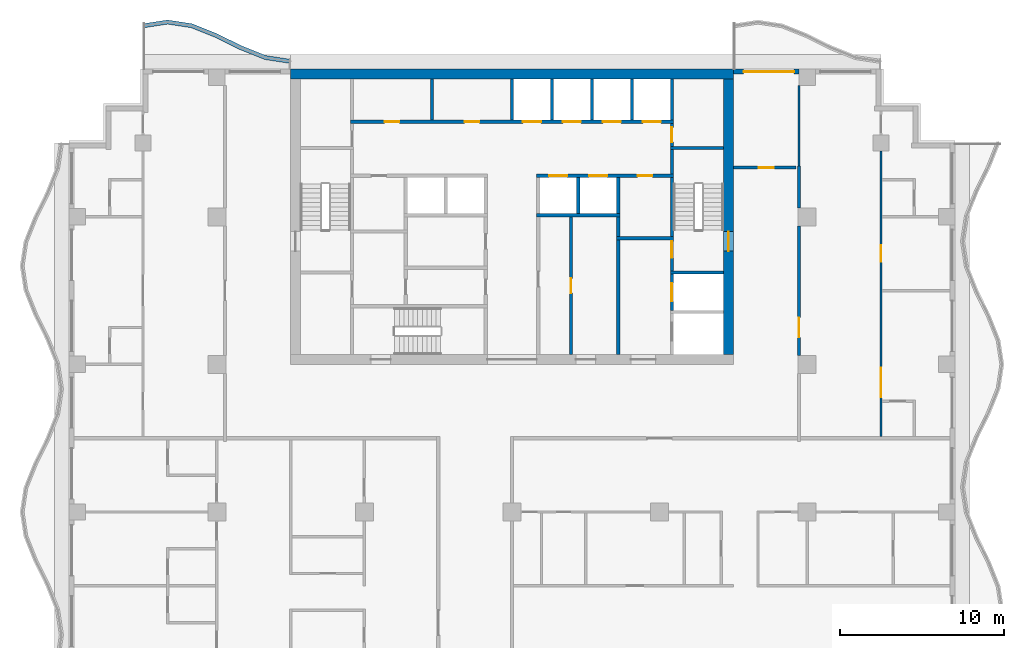
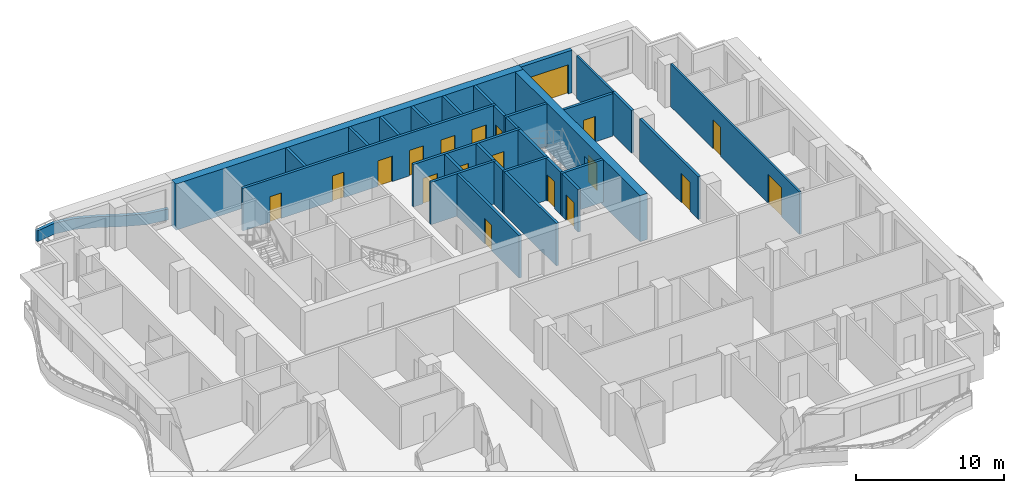
# One storey, part 6 of 12: 31 walls, 19 doors, 19 openings.
"""IFC4 building model written with IfcOpenShell, lengths in metres."""

import ifcopenshell
import ifcopenshell.guid

model = None  # the IFC model being written
_history = None  # IfcOwnerHistory: only IFC2X3 demands one
_inside = {}  # id of a spatial element -> (the spatial element, [elements in it])
_under = {}  # id of a project, library or spatial element -> (it, [spatial elements below it])
_declared = {}  # id of a project -> (the project, [libraries it declares])
_typed = {}  # id of a type object -> (the type object, [elements of that type])
_made_of = {}  # id of a material, layer set ... -> (it, [elements and type objects made of it])


def new_model(schema):
    """Start an empty IFC model of exactly this schema.

    Asked for "IFC4X3", IfcOpenShell would pick the latest addendum, in which some entities
    have other attributes; the version numbers below select the first issue.
    IFC2X3 requires an IfcOwnerHistory on every rooted entity: one is made here for all.
    """
    global model, _history
    if schema == "IFC4X3":
        model = ifcopenshell.file(schema_version=(4, 3, 0, 0))
    else:
        model = ifcopenshell.file(schema=schema)
    _inside.clear()
    _under.clear()
    _declared.clear()
    _typed.clear()
    _made_of.clear()
    _history = None
    if model.schema == "IFC2X3":
        org = make("IfcOrganization", Name="unknown")
        user = make(
            "IfcPersonAndOrganization",
            ThePerson=make("IfcPerson", FamilyName="unknown"),
            TheOrganization=org,
        )
        app = make(
            "IfcApplication",
            ApplicationDeveloper=org,
            Version="unknown",
            ApplicationFullName="unknown",
            ApplicationIdentifier="unknown",
        )
        _history = make(
            "IfcOwnerHistory",
            OwningUser=user,
            OwningApplication=app,
            ChangeAction="ADDED",
            CreationDate=0,
        )
    return model


def make(cls, **values):
    """One entity of the class cls with the attributes given. An attribute that is None is left unset."""
    return model.create_entity(
        cls, **{name: value for name, value in values.items() if value is not None}
    )


def rooted(cls, **values):
    """An entity with a GlobalId (a new one), such as an element, a storey or a relation."""
    return make(cls, GlobalId=ifcopenshell.guid.new(), OwnerHistory=_history, **values)


def si_unit(unit_type, name, prefix=None):
    """IfcSIUnit, for example si_unit("LENGTHUNIT", "METRE", prefix="MILLI")."""
    return make("IfcSIUnit", UnitType=unit_type, Prefix=prefix, Name=name)


def assignment(units):
    """IfcUnitAssignment: the units of a project."""
    return None if units is None else make("IfcUnitAssignment", Units=units)


def point(xyz):
    """IfcCartesianPoint."""
    return None if xyz is None else make("IfcCartesianPoint", Coordinates=xyz)


def direction(xyz):
    """IfcDirection."""
    return None if xyz is None else make("IfcDirection", DirectionRatios=xyz)


def frame(location, z_axis=None, x_axis=None):
    """IfcAxis2Placement3D, a coordinate frame: its origin and axes. An axis left out is left unset."""
    return make(
        "IfcAxis2Placement3D",
        Location=point(location),
        Axis=direction(z_axis),
        RefDirection=direction(x_axis),
    )


def frame_2d(location, x_axis=None):
    """IfcAxis2Placement2D, a coordinate frame in the plane: its origin and x axis."""
    return make(
        "IfcAxis2Placement2D", Location=point(location), RefDirection=direction(x_axis)
    )


def origin():
    """The frame at (0, 0, 0) with its axes left unset."""
    return frame((0.0, 0.0, 0.0))


def place(relative_to, where):
    """IfcLocalPlacement: puts the frame where relative to a parent placement (None: the world)."""
    return make(
        "IfcLocalPlacement", PlacementRelTo=relative_to, RelativePlacement=where
    )


def context(
    kind, dimensions, precision=None, world=None, true_north=None, identifier=None
):
    """IfcGeometricRepresentationContext, for example the 3D "Model" context."""
    return make(
        "IfcGeometricRepresentationContext",
        ContextIdentifier=identifier,
        ContextType=kind,
        CoordinateSpaceDimension=dimensions,
        Precision=precision,
        WorldCoordinateSystem=world,
        TrueNorth=true_north,
    )


def subcontext(parent, identifier, kind, view, scale=None):
    """IfcGeometricRepresentationSubContext, for example "Body" below "Model"."""
    return make(
        "IfcGeometricRepresentationSubContext",
        ContextIdentifier=identifier,
        ContextType=kind,
        ParentContext=parent,
        TargetScale=scale,
        TargetView=view,
    )


def project(units=None, contexts=None):
    """IfcProject with its units and contexts."""
    return rooted(
        "IfcProject",
        Name="project",
        RepresentationContexts=contexts,
        UnitsInContext=assignment(units),
    )


def spatial(cls, under=None, at=None, **own):
    """A site, building, storey or space (cls), placed at a placement, below another one or the project."""
    s = rooted(cls, ObjectPlacement=at, **own)
    if under is not None:
        _under.setdefault(under.id(), (under, []))[1].append(s)
    return s


def polyline(points):
    """IfcPolyline through the points."""
    return make("IfcPolyline", Points=[point(p) for p in points])


def profile(cls, at=None, kind="AREA", **sizes):
    """A parametric profile (cls). Its sizes go by their IFC names, for example OverallWidth=200.0."""
    return make(cls, ProfileType=kind, Position=at, **sizes)


def rectangle(**sizes):
    """IfcRectangleProfileDef."""
    return profile("IfcRectangleProfileDef", **sizes)


def outline(outer, holes=None, kind="AREA"):
    """IfcArbitraryClosedProfileDef: a profile drawn as a closed curve; with holes, ...WithVoids."""
    if holes is None:
        return make("IfcArbitraryClosedProfileDef", ProfileType=kind, OuterCurve=outer)
    return make(
        "IfcArbitraryProfileDefWithVoids",
        ProfileType=kind,
        OuterCurve=outer,
        InnerCurves=holes,
    )


def extrude(swept, where, along, depth):
    """IfcExtrudedAreaSolid: the profile swept, set in the frame where, extruded along a direction by depth."""
    return make(
        "IfcExtrudedAreaSolid",
        SweptArea=swept,
        Position=where,
        ExtrudedDirection=direction(along),
        Depth=depth,
    )


def shape(context_of_items, identifier, shape_type, items):
    """IfcShapeRepresentation: the items that make up one representation, for example the "Body"."""
    return make(
        "IfcShapeRepresentation",
        ContextOfItems=context_of_items,
        RepresentationIdentifier=identifier,
        RepresentationType=shape_type,
        Items=items,
    )


def material(Name=None, Category=None):
    """IfcMaterial."""
    return make("IfcMaterial", Name=Name, Category=Category)


def layer(
    of_material, thickness, ventilated=None, Name=None, Category=None, Priority=None
):
    """IfcMaterialLayer: one layer of a wall or slab, of a material (None: an air gap)."""
    return make(
        "IfcMaterialLayer",
        Material=of_material,
        LayerThickness=thickness,
        IsVentilated=ventilated,
        Name=Name,
        Category=Category,
        Priority=Priority,
    )


def layer_set(layers, Name=None):
    """IfcMaterialLayerSet."""
    return make("IfcMaterialLayerSet", MaterialLayers=layers, LayerSetName=Name)


def made_of(thing, what):
    """Note that an element or type object is made of a material, layer set ...; save() writes the relation."""
    if what is not None:
        _made_of.setdefault(what.id(), (what, []))[1].append(thing)
    return thing


def type_object(cls, material=None, **own):
    """A type object (cls), such as IfcWallType, which elements share."""
    return made_of(rooted(cls, **own), material)


def element(
    cls,
    number,
    at=None,
    inside=None,
    cuts=None,
    type_object=None,
    material=None,
    context=None,
    identifier="Body",
    shape_type=None,
    held_by="IfcProductDefinitionShape",
    body=None,
    shapes=None,
    **own,
):
    """One element of the class cls, such as IfcWall. Its Tag is "e" and its number.

    at: its placement. inside: the storey or other place that contains it. cuts: it is an
    opening in that element (IfcRelVoidsElement). A single representation is given by context,
    identifier, shape_type and body (its items); several are given by shapes. held_by: the class
    of the entity that holds the representations. save() writes the other relations.
    """
    e = rooted(cls, Tag="e%d" % number, ObjectPlacement=at, **own)
    if body is not None:
        shapes = [shape(context, identifier, shape_type, body)]
    if shapes is not None:
        e.Representation = make(held_by, Representations=shapes)
    if inside is not None:
        _inside.setdefault(inside.id(), (inside, []))[1].append(e)
    if cuts is not None:
        rooted(
            "IfcRelVoidsElement", RelatingBuildingElement=cuts, RelatedOpeningElement=e
        )
    if type_object is not None:
        _typed.setdefault(type_object.id(), (type_object, []))[1].append(e)
    return made_of(e, material)


def fill(opening, filler):
    """IfcRelFillsElement: the door or window that sits in an opening."""
    return rooted(
        "IfcRelFillsElement",
        RelatingOpeningElement=opening,
        RelatedBuildingElement=filler,
    )


def aggregate(whole, parts):
    """IfcRelAggregates: a whole, such as a stair, and the parts it consists of."""
    return rooted("IfcRelAggregates", RelatingObject=whole, RelatedObjects=parts)


def save(model, path):
    """Write the relations noted so far, then the file.

    IfcRelAggregates (storeys below a building ...), IfcRelContainedInSpatialStructure (elements
    in a storey), IfcRelDefinesByType, IfcRelAssociatesMaterial and IfcRelDeclares: one each for
    every whole, place, type object, material and project.
    """
    for whole, parts in _under.values():
        aggregate(whole, parts)
    for where, things in _inside.values():
        rooted(
            "IfcRelContainedInSpatialStructure",
            RelatedElements=things,
            RelatingStructure=where,
        )
    for kind, things in _typed.values():
        rooted("IfcRelDefinesByType", RelatedObjects=things, RelatingType=kind)
    for what, things in _made_of.values():
        rooted("IfcRelAssociatesMaterial", RelatedObjects=things, RelatingMaterial=what)
    for by, libraries in _declared.values():
        rooted("IfcRelDeclares", RelatingContext=by, RelatedDefinitions=libraries)
    model.write(path)


model = new_model("IFC4")

# Units and contexts
model_context = context("Model", 3, precision=1e-05, world=origin(), true_north=direction((0.0, 1.0)))
body_context = subcontext(model_context, "Body", "Model", "MODEL_VIEW")
ifc_project = project(units=[si_unit("LENGTHUNIT", "METRE"), si_unit("AREAUNIT", "SQUARE_METRE"), si_unit("VOLUMEUNIT", "CUBIC_METRE"), si_unit("PLANEANGLEUNIT", "RADIAN"), si_unit("MASSUNIT", "GRAM", prefix="KILO")], contexts=[model_context])

# Site, building, storey
site_placement = place(None, origin())
site = spatial("IfcSite", under=ifc_project, at=site_placement, CompositionType="ELEMENT")
building_placement = place(site_placement, origin())
building = spatial("IfcBuilding", under=site, at=building_placement, Name="Orbiselva Terraces", CompositionType="ELEMENT")
storey_placement = place(building_placement, frame((0.0, 0.0, 203.4)))
storey = spatial("IfcBuildingStorey", under=building, at=storey_placement, Name="L51", CompositionType="ELEMENT", Elevation=203.4)

# Wall, opening, door
ifc_material_1 = material(Name="Concrete C80/95", Category="concrete")
ifc_layer_1 = layer(ifc_material_1, 0.6)
ifc_layer_set_1 = layer_set([ifc_layer_1], Name="Concrete C80/95")
wall_type_1 = type_object("IfcWallType", Name="CORE WALL 600", PredefinedType="SHEAR", material=ifc_layer_set_1)
wall_1_placement = place(storey_placement, frame((13.2, 5.1, -0.3), z_axis=(0.0, 0.0, 1.0), x_axis=(0.0, 1.0, 0.0)))
wall_1 = element("IfcWall", 1, at=wall_1_placement, inside=storey, type_object=wall_type_1, Name="Core wall L51 east", PredefinedType="SHEAR", context=body_context, shape_type="SweptSolid", body=[
    extrude(rectangle(XDim=16.8, YDim=0.6, at=frame_2d((8.4, 0.0))), origin(), (0.0, 0.0, 1.0), 3.8),
])
opening_1_placement = place(wall_1_placement, frame((6.3, 0.0, 0.3)))
opening_1 = element("IfcOpeningElement", 2, at=opening_1_placement, cuts=wall_1, Name="Opening DS1200", PredefinedType="OPENING", context=body_context, shape_type="SweptSolid", body=[
    extrude(rectangle(XDim=1.2, YDim=2.2, at=frame_2d((0.6, 1.1))), frame((0.0, 0.31, 0.0), z_axis=(0.0, -1.0, 0.0), x_axis=(1.0, 0.0, 0.0)), (0.0, 0.0, 1.0), 0.62),
])
ifc_material_2 = material(Name="Steel fire door", Category="steel")
door_type_1 = type_object("IfcDoorType", Name="STAIR DOOR 1200", OperationType="NOTDEFINED", PredefinedType="DOOR", material=ifc_material_2)
door_1_placement = place(opening_1_placement, frame((1.2, 0.0, 0.0), z_axis=(0.0, 0.0, 1.0), x_axis=(-1.0, 0.0, 0.0)))
door_1 = element("IfcDoor", 3, at=door_1_placement, inside=storey, type_object=door_type_1, Name="L51 EXIT STAIR S2 door", OperationType="SINGLE_SWING_LEFT", OverallHeight=2.2, OverallWidth=1.2, PredefinedType="DOOR", context=body_context, shape_type="SweptSolid", body=[
    extrude(rectangle(XDim=1.2, YDim=2.2, at=frame_2d((0.6, 1.1))), frame((0.0, 0.025, 0.0), z_axis=(0.0, -1.0, 0.0), x_axis=(1.0, 0.0, 0.0)), (0.0, 0.0, 1.0), 0.05),
])
fill(opening_1, door_1)

# Walls
ifc_layer_2 = layer(ifc_material_1, 0.6)
ifc_layer_set_2 = layer_set([ifc_layer_2], Name="Concrete C80/95")
wall_type_2 = type_object("IfcWallType", Name="CORE WALL 600 EXTERNAL", PredefinedType="SHEAR", material=ifc_layer_set_2)
wall_2_placement = place(storey_placement, frame((13.5, 22.2, -0.3), z_axis=(0.0, 0.0, 1.0), x_axis=(-1.0, 0.0, 0.0)))
element("IfcWall", 4, at=wall_2_placement, inside=storey, type_object=wall_type_2, Name="Core wall L51 north", PredefinedType="SHEAR", context=body_context, shape_type="SweptSolid", body=[
    extrude(rectangle(XDim=27.0, YDim=0.6, at=frame_2d((13.5, 0.0))), origin(), (0.0, 0.0, 1.0), 3.8),
])
ifc_material_3 = material(Name="Masonry blockwork", Category="masonry")
ifc_layer_3 = layer(ifc_material_3, 0.2)
ifc_layer_set_3 = layer_set([ifc_layer_3], Name="Masonry blockwork")
wall_type_3 = type_object("IfcWallType", Name="CORE-WALL-PARTITION-200", PredefinedType="PARTITIONING", material=ifc_layer_set_3)
wall_3_placement = place(storey_placement, frame((-4.875, 19.4, 0.0), z_axis=(0.0, 0.0, 1.0), x_axis=(0.0, 1.0, 0.0)))
element("IfcWall", 5, at=wall_3_placement, inside=storey, type_object=wall_type_3, Name="L51 core wall 20", PredefinedType="PARTITIONING", context=body_context, shape_type="SweptSolid", body=[
    extrude(rectangle(XDim=2.5, YDim=0.2, at=frame_2d((1.25, 0.0))), origin(), (0.0, 0.0, 1.0), 3.5),
])

# Wall, opening, door
wall_4_placement = place(storey_placement, frame((3.6, 13.5, 0.0), z_axis=(0.0, 0.0, 1.0), x_axis=(0.0, -1.0, 0.0)))
wall_4 = element("IfcWall", 6, at=wall_4_placement, inside=storey, type_object=wall_type_3, Name="L51 core wall 32", PredefinedType="PARTITIONING", context=body_context, shape_type="SweptSolid", body=[
    extrude(rectangle(XDim=8.4, YDim=0.2, at=frame_2d((4.2, 0.0))), origin(), (0.0, 0.0, 1.0), 3.5),
])
opening_2_placement = place(wall_4_placement, frame((3.75, 0.0, 0.0)))
opening_2 = element("IfcOpeningElement", 7, at=opening_2_placement, cuts=wall_4, Name="Opening DR900", PredefinedType="OPENING", context=body_context, shape_type="SweptSolid", body=[
    extrude(rectangle(XDim=0.9, YDim=2.1, at=frame_2d((0.45, 1.05))), frame((0.0, 0.11, 0.0), z_axis=(0.0, -1.0, 0.0), x_axis=(1.0, 0.0, 0.0)), (0.0, 0.0, 1.0), 0.22),
])
door_type_2 = type_object("IfcDoorType", Name="ROOM DOOR 900", OperationType="NOTDEFINED", PredefinedType="DOOR", material=ifc_material_2)
door_2_placement = place(opening_2_placement, origin())
door_2 = element("IfcDoor", 8, at=door_2_placement, inside=storey, type_object=door_type_2, Name="L51 SERVICE ROOM door", OperationType="SINGLE_SWING_RIGHT", OverallHeight=2.1, OverallWidth=0.9, PredefinedType="DOOR", context=body_context, shape_type="SweptSolid", body=[
    extrude(rectangle(XDim=0.9, YDim=2.1, at=frame_2d((0.45, 1.05))), frame((0.0, 0.025, 0.0), z_axis=(0.0, -1.0, 0.0), x_axis=(1.0, 0.0, 0.0)), (0.0, 0.0, 1.0), 0.05),
])
fill(opening_2, door_2)

# Wall
wall_5_placement = place(storey_placement, frame((6.475, 12.3, 0.0), z_axis=(0.0, 0.0, 1.0), x_axis=(0.0, 1.0, 0.0)))
element("IfcWall", 9, at=wall_5_placement, inside=storey, type_object=wall_type_3, Name="L51 core wall 37", PredefinedType="PARTITIONING", context=body_context, shape_type="SweptSolid", body=[
    extrude(rectangle(XDim=1.2, YDim=0.2, at=frame_2d((0.6, 0.0))), origin(), (0.0, 0.0, 1.0), 3.5),
])

# Wall, opening, door
wall_6_placement = place(storey_placement, frame((9.75, 19.2, 0.0), z_axis=(0.0, 0.0, 1.0), x_axis=(0.0, -1.0, 0.0)))
wall_6 = element("IfcWall", 10, at=wall_6_placement, inside=storey, type_object=wall_type_3, Name="L51 core wall 48", PredefinedType="PARTITIONING", context=body_context, shape_type="SweptSolid", body=[
    extrude(rectangle(XDim=1.4, YDim=0.2, at=frame_2d((0.7, 0.0))), origin(), (0.0, 0.0, 1.0), 3.5),
])
opening_3_placement = place(wall_6_placement, frame((0.25, 0.0, 0.0)))
opening_3 = element("IfcOpeningElement", 11, at=opening_3_placement, cuts=wall_6, Name="Opening DR900", PredefinedType="OPENING", context=body_context, shape_type="SweptSolid", body=[
    extrude(rectangle(XDim=0.9, YDim=2.1, at=frame_2d((0.45, 1.05))), frame((0.0, 0.11, 0.0), z_axis=(0.0, -1.0, 0.0), x_axis=(1.0, 0.0, 0.0)), (0.0, 0.0, 1.0), 0.22),
])
door_3_placement = place(opening_3_placement, origin())
door_3 = element("IfcDoor", 12, at=door_3_placement, inside=storey, type_object=door_type_2, Name="L51 COMMS RISER ROOM door", OperationType="SINGLE_SWING_RIGHT", OverallHeight=2.1, OverallWidth=0.9, PredefinedType="DOOR", context=body_context, shape_type="SweptSolid", body=[
    extrude(rectangle(XDim=0.9, YDim=2.1, at=frame_2d((0.45, 1.05))), frame((0.0, 0.025, 0.0), z_axis=(0.0, -1.0, 0.0), x_axis=(1.0, 0.0, 0.0)), (0.0, 0.0, 1.0), 0.05),
])
fill(opening_3, door_3)

# Walls
ifc_material_4 = material(Name="Concrete C40/50", Category="concrete")
ifc_layer_4 = layer(ifc_material_4, 0.2)
ifc_layer_set_4 = layer_set([ifc_layer_4], Name="Concrete C40/50")
wall_type_4 = type_object("IfcWallType", Name="CORE-WALL-SHAFT-200", PredefinedType="PARTITIONING", material=ifc_layer_set_4)
for number, where, z_axis, x_axis, name in (
    (13, (0.0, 19.4, 0.0), (0.0, 0.0, 1.0), (0.0, 1.0, 0.0), "L51 core wall 26"),
    (14, (2.4375, 19.4, 0.0), (0.0, 0.0, 1.0), (0.0, 1.0, 0.0), "L51 core wall 31"),
):
    element("IfcWall", number, at=place(storey_placement, frame(where, z_axis=z_axis, x_axis=x_axis)), inside=storey, type_object=wall_type_4, Name=name, PredefinedType="PARTITIONING", context=body_context, shape_type="SweptSolid", body=[
        extrude(rectangle(XDim=2.5, YDim=0.2, at=frame_2d((1.25, 0.0))), origin(), (0.0, 0.0, 1.0), 3.5),
    ])
wall_7_placement = place(storey_placement, frame((4.0375, 13.7, 0.0), z_axis=(0.0, 0.0, 1.0), x_axis=(0.0, 1.0, 0.0)))
element("IfcWall", 15, at=wall_7_placement, inside=storey, type_object=wall_type_4, Name="L51 core wall 33", PredefinedType="PARTITIONING", context=body_context, shape_type="SweptSolid", body=[
    extrude(rectangle(XDim=2.2, YDim=0.2, at=frame_2d((1.1, 0.0))), origin(), (0.0, 0.0, 1.0), 3.5),
])
wall_8_placement = place(storey_placement, frame((4.875, 19.4, 0.0), z_axis=(0.0, 0.0, 1.0), x_axis=(0.0, 1.0, 0.0)))
element("IfcWall", 16, at=wall_8_placement, inside=storey, type_object=wall_type_4, Name="L51 core wall 34", PredefinedType="PARTITIONING", context=body_context, shape_type="SweptSolid", body=[
    extrude(rectangle(XDim=2.5, YDim=0.2, at=frame_2d((1.25, 0.0))), origin(), (0.0, 0.0, 1.0), 3.5),
])
wall_9_placement = place(storey_placement, frame((6.475, 13.7, 0.0), z_axis=(0.0, 0.0, 1.0), x_axis=(0.0, 1.0, 0.0)))
element("IfcWall", 17, at=wall_9_placement, inside=storey, type_object=wall_type_4, Name="L51 core wall 38", PredefinedType="PARTITIONING", context=body_context, shape_type="SweptSolid", body=[
    extrude(rectangle(XDim=2.2, YDim=0.2, at=frame_2d((1.1, 0.0))), origin(), (0.0, 0.0, 1.0), 3.5),
])
for number, where, z_axis, x_axis, name in (
    (18, (7.3125, 19.4, 0.0), (0.0, 0.0, 1.0), (0.0, 1.0, 0.0), "L51 core wall 39"),
    (19, (9.75, 19.4, 0.0), (0.0, 0.0, 1.0), (0.0, 1.0, 0.0), "L51 core wall 49"),
):
    element("IfcWall", number, at=place(storey_placement, frame(where, z_axis=z_axis, x_axis=x_axis)), inside=storey, type_object=wall_type_4, Name=name, PredefinedType="PARTITIONING", context=body_context, shape_type="SweptSolid", body=[
        extrude(rectangle(XDim=2.5, YDim=0.2, at=frame_2d((1.25, 0.0))), origin(), (0.0, 0.0, 1.0), 3.5),
    ])

# Wall, openings, doors
ifc_material_5 = material(Name="Concrete C60/75", Category="concrete")
ifc_layer_5 = layer(ifc_material_5, 0.2)
ifc_layer_set_5 = layer_set([ifc_layer_5], Name="Concrete C60/75")
wall_type_5 = type_object("IfcWallType", Name="CORE-WALL-SHEAR-200", PredefinedType="SHEAR", material=ifc_layer_set_5)
wall_10_placement = place(storey_placement, frame((-9.85, 19.3, 0.0), z_axis=(0.0, 0.0, 1.0), x_axis=(1.0, 0.0, 0.0)))
wall_10 = element("IfcWall", 20, at=wall_10_placement, inside=storey, type_object=wall_type_5, Name="L51 core wall 12", PredefinedType="SHEAR", context=body_context, shape_type="SweptSolid", body=[
    extrude(rectangle(XDim=19.7, YDim=0.2, at=frame_2d((9.85, 0.0))), origin(), (0.0, 0.0, 1.0), 3.5),
])
opening_4_placement = place(wall_10_placement, frame((10.51875, 0.0, 0.0)))
opening_4 = element("IfcOpeningElement", 21, at=opening_4_placement, cuts=wall_10, Name="Opening LD-HR1", PredefinedType="OPENING", context=body_context, shape_type="SweptSolid", body=[
    extrude(rectangle(XDim=1.1, YDim=2.1, at=frame_2d((0.55, 1.05))), frame((0.0, 0.11, 0.0), z_axis=(0.0, -1.0, 0.0), x_axis=(1.0, 0.0, 0.0)), (0.0, 0.0, 1.0), 0.22),
])
opening_5_placement = place(wall_10_placement, frame((12.95625, 0.0, 0.0)))
opening_5 = element("IfcOpeningElement", 22, at=opening_5_placement, cuts=wall_10, Name="Opening LD-HR2", PredefinedType="OPENING", context=body_context, shape_type="SweptSolid", body=[
    extrude(rectangle(XDim=1.1, YDim=2.1, at=frame_2d((0.55, 1.05))), frame((0.0, 0.11, 0.0), z_axis=(0.0, -1.0, 0.0), x_axis=(1.0, 0.0, 0.0)), (0.0, 0.0, 1.0), 0.22),
])
opening_6_placement = place(wall_10_placement, frame((15.39375, 0.0, 0.0)))
opening_6 = element("IfcOpeningElement", 23, at=opening_6_placement, cuts=wall_10, Name="Opening LD-HR3", PredefinedType="OPENING", context=body_context, shape_type="SweptSolid", body=[
    extrude(rectangle(XDim=1.1, YDim=2.1, at=frame_2d((0.55, 1.05))), frame((0.0, 0.11, 0.0), z_axis=(0.0, -1.0, 0.0), x_axis=(1.0, 0.0, 0.0)), (0.0, 0.0, 1.0), 0.22),
])
opening_7_placement = place(wall_10_placement, frame((17.83125, 0.0, 0.0)))
opening_7 = element("IfcOpeningElement", 24, at=opening_7_placement, cuts=wall_10, Name="Opening LD-HR4", PredefinedType="OPENING", context=body_context, shape_type="SweptSolid", body=[
    extrude(rectangle(XDim=1.1, YDim=2.1, at=frame_2d((0.55, 1.05))), frame((0.0, 0.11, 0.0), z_axis=(0.0, -1.0, 0.0), x_axis=(1.0, 0.0, 0.0)), (0.0, 0.0, 1.0), 0.22),
])
opening_8_placement = place(wall_10_placement, frame((2.0875, 0.0, 0.0)))
opening_8 = element("IfcOpeningElement", 25, at=opening_8_placement, cuts=wall_10, Name="Opening DR900", PredefinedType="OPENING", context=body_context, shape_type="SweptSolid", body=[
    extrude(rectangle(XDim=0.9, YDim=2.1, at=frame_2d((0.45, 1.05))), frame((0.0, 0.11, 0.0), z_axis=(0.0, -1.0, 0.0), x_axis=(1.0, 0.0, 0.0)), (0.0, 0.0, 1.0), 0.22),
])
opening_9_placement = place(wall_10_placement, frame((6.9625, 0.0, 0.0)))
opening_9 = element("IfcOpeningElement", 26, at=opening_9_placement, cuts=wall_10, Name="Opening DR900", PredefinedType="OPENING", context=body_context, shape_type="SweptSolid", body=[
    extrude(rectangle(XDim=0.9, YDim=2.1, at=frame_2d((0.45, 1.05))), frame((0.0, 0.11, 0.0), z_axis=(0.0, -1.0, 0.0), x_axis=(1.0, 0.0, 0.0)), (0.0, 0.0, 1.0), 0.22),
])
ifc_material_6 = material(Name="Stainless steel landing door", Category="steel")
door_type_3 = type_object("IfcDoorType", Name="LANDING DOOR 1100", OperationType="SLIDING_TO_LEFT", PredefinedType="DOOR", material=ifc_material_6)
door_4_placement = place(opening_4_placement, origin())
door_4 = element("IfcDoor", 27, at=door_4_placement, inside=storey, type_object=door_type_3, Name="L51 landing door HR1", OperationType="SLIDING_TO_RIGHT", OverallHeight=2.1, OverallWidth=1.1, PredefinedType="DOOR", context=body_context, shape_type="SweptSolid", body=[
    extrude(rectangle(XDim=1.1, YDim=2.1, at=frame_2d((0.55, 1.05))), frame((0.0, 0.025, 0.0), z_axis=(0.0, -1.0, 0.0), x_axis=(1.0, 0.0, 0.0)), (0.0, 0.0, 1.0), 0.05),
])
fill(opening_4, door_4)
door_5_placement = place(opening_5_placement, origin())
door_5 = element("IfcDoor", 28, at=door_5_placement, inside=storey, type_object=door_type_3, Name="L51 landing door HR2", OperationType="SLIDING_TO_RIGHT", OverallHeight=2.1, OverallWidth=1.1, PredefinedType="DOOR", context=body_context, shape_type="SweptSolid", body=[
    extrude(rectangle(XDim=1.1, YDim=2.1, at=frame_2d((0.55, 1.05))), frame((0.0, 0.025, 0.0), z_axis=(0.0, -1.0, 0.0), x_axis=(1.0, 0.0, 0.0)), (0.0, 0.0, 1.0), 0.05),
])
fill(opening_5, door_5)
door_6_placement = place(opening_6_placement, origin())
door_6 = element("IfcDoor", 29, at=door_6_placement, inside=storey, type_object=door_type_3, Name="L51 landing door HR3", OperationType="SLIDING_TO_RIGHT", OverallHeight=2.1, OverallWidth=1.1, PredefinedType="DOOR", context=body_context, shape_type="SweptSolid", body=[
    extrude(rectangle(XDim=1.1, YDim=2.1, at=frame_2d((0.55, 1.05))), frame((0.0, 0.025, 0.0), z_axis=(0.0, -1.0, 0.0), x_axis=(1.0, 0.0, 0.0)), (0.0, 0.0, 1.0), 0.05),
])
fill(opening_6, door_6)
door_7_placement = place(opening_7_placement, origin())
door_7 = element("IfcDoor", 30, at=door_7_placement, inside=storey, type_object=door_type_3, Name="L51 landing door HR4", OperationType="SLIDING_TO_RIGHT", OverallHeight=2.1, OverallWidth=1.1, PredefinedType="DOOR", context=body_context, shape_type="SweptSolid", body=[
    extrude(rectangle(XDim=1.1, YDim=2.1, at=frame_2d((0.55, 1.05))), frame((0.0, 0.025, 0.0), z_axis=(0.0, -1.0, 0.0), x_axis=(1.0, 0.0, 0.0)), (0.0, 0.0, 1.0), 0.05),
])
fill(opening_7, door_7)
door_8_placement = place(opening_8_placement, origin())
door_8 = element("IfcDoor", 31, at=door_8_placement, inside=storey, type_object=door_type_2, Name="L51 PANTRY door", OperationType="SINGLE_SWING_LEFT", OverallHeight=2.1, OverallWidth=0.9, PredefinedType="DOOR", context=body_context, shape_type="SweptSolid", body=[
    extrude(rectangle(XDim=0.9, YDim=2.1, at=frame_2d((0.45, 1.05))), frame((0.0, 0.025, 0.0), z_axis=(0.0, -1.0, 0.0), x_axis=(1.0, 0.0, 0.0)), (0.0, 0.0, 1.0), 0.05),
])
fill(opening_8, door_8)
door_9_placement = place(opening_9_placement, origin())
door_9 = element("IfcDoor", 32, at=door_9_placement, inside=storey, type_object=door_type_2, Name="L51 STAFF LOUNGE door", OperationType="SINGLE_SWING_LEFT", OverallHeight=2.1, OverallWidth=0.9, PredefinedType="DOOR", context=body_context, shape_type="SweptSolid", body=[
    extrude(rectangle(XDim=0.9, YDim=2.1, at=frame_2d((0.45, 1.05))), frame((0.0, 0.025, 0.0), z_axis=(0.0, -1.0, 0.0), x_axis=(1.0, 0.0, 0.0)), (0.0, 0.0, 1.0), 0.05),
])
fill(opening_9, door_9)

# Wall
wall_11_placement = place(storey_placement, frame((1.5, 13.6, 0.0), z_axis=(0.0, 0.0, 1.0), x_axis=(1.0, 0.0, 0.0)))
element("IfcWall", 33, at=wall_11_placement, inside=storey, type_object=wall_type_5, Name="L51 core wall 28", PredefinedType="SHEAR", context=body_context, shape_type="SweptSolid", body=[
    extrude(rectangle(XDim=5.075, YDim=0.2, at=frame_2d((2.5375, 0.0))), origin(), (0.0, 0.0, 1.0), 3.5),
])

# Wall, openings, doors
wall_12_placement = place(storey_placement, frame((9.85, 16.0, 0.0), z_axis=(0.0, 0.0, 1.0), x_axis=(-1.0, 0.0, 0.0)))
wall_12 = element("IfcWall", 34, at=wall_12_placement, inside=storey, type_object=wall_type_5, Name="L51 core wall 30", PredefinedType="SHEAR", context=body_context, shape_type="SweptSolid", body=[
    extrude(rectangle(XDim=8.35, YDim=0.2, at=frame_2d((4.175, 0.0))), origin(), (0.0, 0.0, 1.0), 3.5),
])
opening_10_placement = place(wall_12_placement, frame((6.48125, 0.0, 0.0)))
opening_10 = element("IfcOpeningElement", 35, at=opening_10_placement, cuts=wall_12, Name="Opening LD-HR5", PredefinedType="OPENING", context=body_context, shape_type="SweptSolid", body=[
    extrude(rectangle(XDim=1.1, YDim=2.1, at=frame_2d((0.55, 1.05))), frame((0.0, 0.11, 0.0), z_axis=(0.0, -1.0, 0.0), x_axis=(1.0, 0.0, 0.0)), (0.0, 0.0, 1.0), 0.22),
])
opening_11_placement = place(wall_12_placement, frame((4.04375, 0.0, 0.0)))
opening_11 = element("IfcOpeningElement", 36, at=opening_11_placement, cuts=wall_12, Name="Opening LD-HR6", PredefinedType="OPENING", context=body_context, shape_type="SweptSolid", body=[
    extrude(rectangle(XDim=1.1, YDim=2.1, at=frame_2d((0.55, 1.05))), frame((0.0, 0.11, 0.0), z_axis=(0.0, -1.0, 0.0), x_axis=(1.0, 0.0, 0.0)), (0.0, 0.0, 1.0), 0.22),
])
opening_12_placement = place(wall_12_placement, frame((1.2875, 0.0, 0.0)))
opening_12 = element("IfcOpeningElement", 37, at=opening_12_placement, cuts=wall_12, Name="Opening DR900", PredefinedType="OPENING", context=body_context, shape_type="SweptSolid", body=[
    extrude(rectangle(XDim=0.9, YDim=2.1, at=frame_2d((0.45, 1.05))), frame((0.0, 0.11, 0.0), z_axis=(0.0, -1.0, 0.0), x_axis=(1.0, 0.0, 0.0)), (0.0, 0.0, 1.0), 0.22),
])
door_10_placement = place(opening_10_placement, origin())
door_10 = element("IfcDoor", 38, at=door_10_placement, inside=storey, type_object=door_type_3, Name="L51 landing door HR5", OperationType="SLIDING_TO_RIGHT", OverallHeight=2.1, OverallWidth=1.1, PredefinedType="DOOR", context=body_context, shape_type="SweptSolid", body=[
    extrude(rectangle(XDim=1.1, YDim=2.1, at=frame_2d((0.55, 1.05))), frame((0.0, 0.025, 0.0), z_axis=(0.0, -1.0, 0.0), x_axis=(1.0, 0.0, 0.0)), (0.0, 0.0, 1.0), 0.05),
])
fill(opening_10, door_10)
door_11_placement = place(opening_11_placement, origin())
door_11 = element("IfcDoor", 39, at=door_11_placement, inside=storey, type_object=door_type_3, Name="L51 landing door HR6", OperationType="SLIDING_TO_RIGHT", OverallHeight=2.1, OverallWidth=1.1, PredefinedType="DOOR", context=body_context, shape_type="SweptSolid", body=[
    extrude(rectangle(XDim=1.1, YDim=2.1, at=frame_2d((0.55, 1.05))), frame((0.0, 0.025, 0.0), z_axis=(0.0, -1.0, 0.0), x_axis=(1.0, 0.0, 0.0)), (0.0, 0.0, 1.0), 0.05),
])
fill(opening_11, door_11)
door_12_placement = place(opening_12_placement, origin())
door_12 = element("IfcDoor", 40, at=door_12_placement, inside=storey, type_object=door_type_2, Name="L51 PIPE RISER ROOM door", OperationType="SINGLE_SWING_LEFT", OverallHeight=2.1, OverallWidth=0.9, PredefinedType="DOOR", context=body_context, shape_type="SweptSolid", body=[
    extrude(rectangle(XDim=0.9, YDim=2.1, at=frame_2d((0.45, 1.05))), frame((0.0, 0.025, 0.0), z_axis=(0.0, -1.0, 0.0), x_axis=(1.0, 0.0, 0.0)), (0.0, 0.0, 1.0), 0.05),
])
fill(opening_12, door_12)

# Walls
wall_13_placement = place(storey_placement, frame((6.475, 5.1, 0.0), z_axis=(0.0, 0.0, 1.0), x_axis=(0.0, 1.0, 0.0)))
element("IfcWall", 41, at=wall_13_placement, inside=storey, type_object=wall_type_5, Name="L51 core wall 35", PredefinedType="SHEAR", context=body_context, shape_type="SweptSolid", body=[
    extrude(rectangle(XDim=7.0, YDim=0.2, at=frame_2d((3.5, 0.0))), origin(), (0.0, 0.0, 1.0), 3.5),
])
wall_14_placement = place(storey_placement, frame((6.375, 12.2, 0.0), z_axis=(0.0, 0.0, 1.0), x_axis=(1.0, 0.0, 0.0)))
element("IfcWall", 42, at=wall_14_placement, inside=storey, type_object=wall_type_5, Name="L51 core wall 36", PredefinedType="SHEAR", context=body_context, shape_type="SweptSolid", body=[
    extrude(rectangle(XDim=3.475, YDim=0.2, at=frame_2d((1.7375, 0.0))), origin(), (0.0, 0.0, 1.0), 3.5),
])

# Wall, opening, door
wall_15_placement = place(storey_placement, frame((9.75, 7.8, 0.0), z_axis=(0.0, 0.0, 1.0), x_axis=(0.0, 1.0, 0.0)))
wall_15 = element("IfcWall", 43, at=wall_15_placement, inside=storey, type_object=wall_type_5, Name="L51 core wall 42", PredefinedType="SHEAR", context=body_context, shape_type="SweptSolid", body=[
    extrude(rectangle(XDim=2.2, YDim=0.2, at=frame_2d((1.1, 0.0))), origin(), (0.0, 0.0, 1.0), 3.5),
])
opening_13_placement = place(wall_15_placement, frame((0.55, 0.0, 0.0)))
opening_13 = element("IfcOpeningElement", 44, at=opening_13_placement, cuts=wall_15, Name="Opening LD-FF2", PredefinedType="OPENING", context=body_context, shape_type="SweptSolid", body=[
    extrude(rectangle(XDim=1.1, YDim=2.1, at=frame_2d((0.55, 1.05))), frame((0.0, 0.11, 0.0), z_axis=(0.0, -1.0, 0.0), x_axis=(1.0, 0.0, 0.0)), (0.0, 0.0, 1.0), 0.22),
])
door_13_placement = place(opening_13_placement, origin())
door_13 = element("IfcDoor", 45, at=door_13_placement, inside=storey, type_object=door_type_3, Name="L51 landing door FF2", OperationType="SLIDING_TO_RIGHT", OverallHeight=2.1, OverallWidth=1.1, PredefinedType="DOOR", context=body_context, shape_type="SweptSolid", body=[
    extrude(rectangle(XDim=1.1, YDim=2.1, at=frame_2d((0.55, 1.05))), frame((0.0, 0.025, 0.0), z_axis=(0.0, -1.0, 0.0), x_axis=(1.0, 0.0, 0.0)), (0.0, 0.0, 1.0), 0.05),
])
fill(opening_13, door_13)

# Wall
wall_16_placement = place(storey_placement, frame((9.65, 10.1, 0.0), z_axis=(0.0, 0.0, 1.0), x_axis=(1.0, 0.0, 0.0)))
element("IfcWall", 46, at=wall_16_placement, inside=storey, type_object=wall_type_5, Name="L51 core wall 43", PredefinedType="SHEAR", context=body_context, shape_type="SweptSolid", body=[
    extrude(rectangle(XDim=3.25, YDim=0.2, at=frame_2d((1.625, 0.0))), origin(), (0.0, 0.0, 1.0), 3.5),
])

# Wall, opening, door
wall_17_placement = place(storey_placement, frame((9.75, 12.1, 0.0), z_axis=(0.0, 0.0, 1.0), x_axis=(0.0, -1.0, 0.0)))
wall_17 = element("IfcWall", 47, at=wall_17_placement, inside=storey, type_object=wall_type_5, Name="L51 core wall 44", PredefinedType="SHEAR", context=body_context, shape_type="SweptSolid", body=[
    extrude(rectangle(XDim=1.9, YDim=0.2, at=frame_2d((0.95, 0.0))), origin(), (0.0, 0.0, 1.0), 3.5),
])
opening_14_placement = place(wall_17_placement, frame((0.1, 0.0, 0.0)))
opening_14 = element("IfcOpeningElement", 48, at=opening_14_placement, cuts=wall_17, Name="Opening DS1000", PredefinedType="OPENING", context=body_context, shape_type="SweptSolid", body=[
    extrude(rectangle(XDim=1.0, YDim=2.2, at=frame_2d((0.5, 1.1))), frame((0.0, 0.11, 0.0), z_axis=(0.0, -1.0, 0.0), x_axis=(1.0, 0.0, 0.0)), (0.0, 0.0, 1.0), 0.22),
])
door_type_4 = type_object("IfcDoorType", Name="STAIR DOOR 1000", OperationType="NOTDEFINED", PredefinedType="DOOR", material=ifc_material_2)
door_14_placement = place(opening_14_placement, origin())
door_14 = element("IfcDoor", 49, at=door_14_placement, inside=storey, type_object=door_type_4, Name="L51 FIRE-FIGHTING LOBBY TO EXIT STAIR S2 door", OperationType="SINGLE_SWING_LEFT", OverallHeight=2.2, OverallWidth=1.0, PredefinedType="DOOR", context=body_context, shape_type="SweptSolid", body=[
    extrude(rectangle(XDim=1.0, YDim=2.2, at=frame_2d((0.5, 1.1))), frame((0.0, 0.025, 0.0), z_axis=(0.0, -1.0, 0.0), x_axis=(1.0, 0.0, 0.0)), (0.0, 0.0, 1.0), 0.05),
])
fill(opening_14, door_14)

# Walls
wall_18_placement = place(storey_placement, frame((9.75, 12.3, 0.0), z_axis=(0.0, 0.0, 1.0), x_axis=(0.0, 1.0, 0.0)))
element("IfcWall", 50, at=wall_18_placement, inside=storey, type_object=wall_type_5, Name="L51 core wall 45", PredefinedType="SHEAR", context=body_context, shape_type="SweptSolid", body=[
    extrude(rectangle(XDim=3.6, YDim=0.2, at=frame_2d((1.8, 0.0))), origin(), (0.0, 0.0, 1.0), 3.5),
])
wall_19_placement = place(storey_placement, frame((9.75, 16.1, 0.0), z_axis=(0.0, 0.0, 1.0), x_axis=(0.0, 1.0, 0.0)))
element("IfcWall", 51, at=wall_19_placement, inside=storey, type_object=wall_type_5, Name="L51 core wall 46", PredefinedType="SHEAR", context=body_context, shape_type="SweptSolid", body=[
    extrude(rectangle(XDim=1.5, YDim=0.2, at=frame_2d((0.75, 0.0))), origin(), (0.0, 0.0, 1.0), 3.5),
])
wall_20_placement = place(storey_placement, frame((9.65, 17.7, 0.0), z_axis=(0.0, 0.0, 1.0), x_axis=(1.0, 0.0, 0.0)))
element("IfcWall", 52, at=wall_20_placement, inside=storey, type_object=wall_type_5, Name="L51 core wall 47", PredefinedType="SHEAR", context=body_context, shape_type="SweptSolid", body=[
    extrude(rectangle(XDim=3.25, YDim=0.2, at=frame_2d((1.625, 0.0))), origin(), (0.0, 0.0, 1.0), 3.5),
])
ifc_layer_6 = layer(ifc_material_4, 0.25)
ifc_layer_set_6 = layer_set([ifc_layer_6], Name="Concrete C40/50")
wall_type_6 = type_object("IfcWallType", Name="ENV-PLANTER-250x900", PredefinedType="USERDEFINED", material=ifc_layer_set_6)
wall_21_placement = place(storey_placement, origin())
element("IfcWall", 53, at=wall_21_placement, inside=storey, type_object=wall_type_6, Name="Balcony planter L51 NW", ObjectType="PLANTER", PredefinedType="USERDEFINED", context=body_context, shape_type="SweptSolid", body=[
    extrude(outline(polyline([(-13.5, 23.1), (-15.0, 23.32918), (-16.5, 23.92918), (-18.0, 24.67082), (-19.5, 25.27082), (-21.0, 25.5), (-22.5, 25.27082), (-22.462242, 25.023688), (-21.0, 25.247099), (-19.566166, 25.028028), (-18.101983, 24.442355), (-16.601983, 23.700715), (-15.066166, 23.086388), (-13.537758, 22.852868), (-13.5, 23.1)])), origin(), (0.0, 0.0, 1.0), 0.9),
])

# Wall, opening, door
ifc_material_7 = material(Name="Terracotta cladding on masonry backing", Category="masonry")
ifc_layer_7 = layer(ifc_material_7, 0.3)
ifc_layer_set_7 = layer_set([ifc_layer_7], Name="Terracotta cladding on masonry backing")
wall_type_7 = type_object("IfcWallType", Name="ENV-WALL-TERRACOTTA-300", PredefinedType="SOLIDWALL", material=ifc_layer_set_7)
wall_22_placement = place(storey_placement, frame((13.5, 22.35, 0.0), z_axis=(0.0, 0.0, 1.0), x_axis=(1.0, 0.0, 0.0)))
wall_22 = element("IfcWall", 54, at=wall_22_placement, inside=storey, type_object=wall_type_7, Name="Facade wall L51 NE", PredefinedType="SOLIDWALL", context=body_context, shape_type="SweptSolid", body=[
    extrude(rectangle(XDim=4.0, YDim=0.3, at=frame_2d((2.0, 0.0))), origin(), (0.0, 0.0, 1.0), 3.5),
])
opening_15_placement = place(wall_22_placement, frame((0.625, 0.0, 0.0)))
opening_15 = element("IfcOpeningElement", 55, at=opening_15_placement, cuts=wall_22, Name="Opening Z4-B-E17", PredefinedType="OPENING", context=body_context, shape_type="SweptSolid", body=[
    extrude(rectangle(XDim=3.075, YDim=2.4, at=frame_2d((1.5375, 1.2))), frame((0.0, 0.16, 0.0), z_axis=(0.0, -1.0, 0.0), x_axis=(1.0, 0.0, 0.0)), (0.0, 0.0, 1.0), 0.32),
])
ifc_material_8 = material(Name="Clear low-e glazing in aluminium frame", Category="aluminium")
door_type_5 = type_object("IfcDoorType", Name="BALCONY DOOR 3075 X 2400", OperationType="DOUBLE_DOOR_SLIDING", PredefinedType="DOOR", material=ifc_material_8)
door_15_placement = place(opening_15_placement, origin())
door_15 = element("IfcDoor", 56, at=door_15_placement, inside=storey, type_object=door_type_5, Name="Z4-B-E17", OperationType="SINGLE_SWING_LEFT", OverallHeight=2.4, OverallWidth=3.075, PredefinedType="DOOR", context=body_context, shape_type="SweptSolid", body=[
    extrude(rectangle(XDim=3.075, YDim=2.4, at=frame_2d((1.5375, 1.2))), frame((0.0, 0.025, 0.0), z_axis=(0.0, -1.0, 0.0), x_axis=(1.0, 0.0, 0.0)), (0.0, 0.0, 1.0), 0.05),
])
fill(opening_15, door_15)

ifc_material_9 = material(Name="Plasterboard on steel stud partition", Category="steel")
ifc_layer_8 = layer(ifc_material_9, 0.2)
ifc_layer_set_8 = layer_set([ifc_layer_8], Name="Plasterboard on steel stud partition")
wall_type_8 = type_object("IfcWallType", Name="UNIT-ENTRANCE-WALL-200", PredefinedType="PARTITIONING", material=ifc_layer_set_8)
wall_23_placement = place(storey_placement, frame((13.5, 16.5, 0.0), z_axis=(0.0, 0.0, 1.0), x_axis=(1.0, 0.0, 0.0)))
wall_23 = element("IfcWall", 57, at=wall_23_placement, inside=storey, type_object=wall_type_8, Name="PARTITION L51-041", PredefinedType="PARTITIONING", context=body_context, shape_type="SweptSolid", body=[
    extrude(rectangle(XDim=3.825, YDim=0.2, at=frame_2d((1.9125, 0.0))), origin(), (0.0, 0.0, 1.0), 3.5),
])
opening_16_placement = place(wall_23_placement, frame((1.55, 0.0, 0.0)))
opening_16 = element("IfcOpeningElement", 58, at=opening_16_placement, cuts=wall_23, Name="Opening Z4-B-01", PredefinedType="OPENING", context=body_context, shape_type="SweptSolid", body=[
    extrude(rectangle(XDim=0.9, YDim=2.1, at=frame_2d((0.45, 1.05))), frame((0.0, 0.11, 0.0), z_axis=(0.0, -1.0, 0.0), x_axis=(1.0, 0.0, 0.0)), (0.0, 0.0, 1.0), 0.22),
])
ifc_material_10 = material(Name="Painted timber door leaf", Category="wood")
door_type_6 = type_object("IfcDoorType", Name="SERVICE DOOR 900", OperationType="NOTDEFINED", PredefinedType="DOOR", material=ifc_material_10)
door_16_placement = place(opening_16_placement, origin())
door_16 = element("IfcDoor", 59, at=door_16_placement, inside=storey, type_object=door_type_6, Name="Z4-B-01", OperationType="SINGLE_SWING_RIGHT", OverallHeight=2.1, OverallWidth=0.9, PredefinedType="DOOR", context=body_context, shape_type="SweptSolid", body=[
    extrude(rectangle(XDim=0.9, YDim=2.1, at=frame_2d((0.45, 1.05))), frame((0.0, 0.025, 0.0), z_axis=(0.0, -1.0, 0.0), x_axis=(1.0, 0.0, 0.0)), (0.0, 0.0, 1.0), 0.05),
])
fill(opening_16, door_16)

wall_24_placement = place(storey_placement, frame((17.5, 12.95, 0.0), z_axis=(0.0, 0.0, 1.0), x_axis=(0.0, -1.0, 0.0)))
wall_24 = element("IfcWall", 60, at=wall_24_placement, inside=storey, type_object=wall_type_8, Name="PARTITION L51-076", PredefinedType="PARTITIONING", context=body_context, shape_type="SweptSolid", body=[
    extrude(rectangle(XDim=7.9, YDim=0.2, at=frame_2d((3.95, 0.0))), origin(), (0.0, 0.0, 1.0), 3.5),
])
opening_17_placement = place(wall_24_placement, frame((5.6, 0.0, 0.0)))
opening_17 = element("IfcOpeningElement", 61, at=opening_17_placement, cuts=wall_24, Name="Opening Z4-B-08", PredefinedType="OPENING", context=body_context, shape_type="SweptSolid", body=[
    extrude(rectangle(XDim=1.2, YDim=2.4, at=frame_2d((0.6, 1.2))), frame((0.0, 0.11, 0.0), z_axis=(0.0, -1.0, 0.0), x_axis=(1.0, 0.0, 0.0)), (0.0, 0.0, 1.0), 0.22),
])
door_type_7 = type_object("IfcDoorType", Name="ENTRANCE DOOR 1200", OperationType="NOTDEFINED", PredefinedType="DOOR", material=ifc_material_10)
door_17_placement = place(opening_17_placement, origin())
door_17 = element("IfcDoor", 62, at=door_17_placement, inside=storey, type_object=door_type_7, Name="Z4-B-08", OperationType="SINGLE_SWING_RIGHT", OverallHeight=2.4, OverallWidth=1.2, PredefinedType="DOOR", context=body_context, shape_type="SweptSolid", body=[
    extrude(rectangle(XDim=1.2, YDim=2.4, at=frame_2d((0.6, 1.2))), frame((0.0, 0.025, 0.0), z_axis=(0.0, -1.0, 0.0), x_axis=(1.0, 0.0, 0.0)), (0.0, 0.0, 1.0), 0.05),
])
fill(opening_17, door_17)

# Walls
wall_25_placement = place(storey_placement, frame((17.5, 14.05, 0.0), z_axis=(0.0, 0.0, 1.0), x_axis=(0.0, 1.0, 0.0)))
element("IfcWall", 63, at=wall_25_placement, inside=storey, type_object=wall_type_8, Name="PARTITION L51-077", PredefinedType="PARTITIONING", context=body_context, shape_type="SweptSolid", body=[
    extrude(rectangle(XDim=2.55, YDim=0.2, at=frame_2d((1.275, 0.0))), origin(), (0.0, 0.0, 1.0), 3.5),
])
ifc_layer_9 = layer(ifc_material_9, 0.15)
ifc_layer_set_9 = layer_set([ifc_layer_9], Name="Plasterboard on steel stud partition")
wall_type_9 = type_object("IfcWallType", Name="UNIT-PARTITION-150", PredefinedType="PARTITIONING", material=ifc_layer_set_9)
wall_26_placement = place(storey_placement, frame((17.5, 16.4, 0.0), z_axis=(0.0, 0.0, 1.0), x_axis=(0.0, 1.0, 0.0)))
element("IfcWall", 64, at=wall_26_placement, inside=storey, type_object=wall_type_9, Name="PARTITION L51-078", PredefinedType="PARTITIONING", context=body_context, shape_type="SweptSolid", body=[
    extrude(rectangle(XDim=5.1, YDim=0.15, at=frame_2d((2.55, 0.0))), origin(), (0.0, 0.0, 1.0), 3.5),
])

# Wall, openings, doors
wall_27_placement = place(storey_placement, frame((22.5, 17.5, 0.0), z_axis=(0.0, 0.0, 1.0), x_axis=(0.0, -1.0, 0.0)))
wall_27 = element("IfcWall", 65, at=wall_27_placement, inside=storey, type_object=wall_type_9, Name="PARTITION L51-084", PredefinedType="PARTITIONING", context=body_context, shape_type="SweptSolid", body=[
    extrude(rectangle(XDim=17.4, YDim=0.15, at=frame_2d((8.7, 0.0))), origin(), (0.0, 0.0, 1.0), 3.5),
])
opening_18_placement = place(wall_27_placement, frame((13.2, 0.0, 0.0)))
opening_18 = element("IfcOpeningElement", 66, at=opening_18_placement, cuts=wall_27, Name="Opening Z4-B-09", PredefinedType="OPENING", context=body_context, shape_type="SweptSolid", body=[
    extrude(rectangle(XDim=1.8, YDim=2.4, at=frame_2d((0.9, 1.2))), frame((0.0, 0.085, 0.0), z_axis=(0.0, -1.0, 0.0), x_axis=(1.0, 0.0, 0.0)), (0.0, 0.0, 1.0), 0.17),
])
opening_19_placement = place(wall_27_placement, frame((5.75, 0.0, 0.0)))
opening_19 = element("IfcOpeningElement", 67, at=opening_19_placement, cuts=wall_27, Name="Opening Z4-B-11", PredefinedType="OPENING", context=body_context, shape_type="SweptSolid", body=[
    extrude(rectangle(XDim=1.0, YDim=2.4, at=frame_2d((0.5, 1.2))), frame((0.0, 0.085, 0.0), z_axis=(0.0, -1.0, 0.0), x_axis=(1.0, 0.0, 0.0)), (0.0, 0.0, 1.0), 0.17),
])
door_type_8 = type_object("IfcDoorType", Name="DOUBLE DOOR 1800", OperationType="NOTDEFINED", PredefinedType="DOOR", material=ifc_material_10)
door_18_placement = place(opening_18_placement, origin())
door_18 = element("IfcDoor", 68, at=door_18_placement, inside=storey, type_object=door_type_8, Name="Z4-B-09", OperationType="DOUBLE_DOOR_SINGLE_SWING", OverallHeight=2.4, OverallWidth=1.8, PredefinedType="DOOR", context=body_context, shape_type="SweptSolid", body=[
    extrude(rectangle(XDim=1.8, YDim=2.4, at=frame_2d((0.9, 1.2))), frame((0.0, 0.025, 0.0), z_axis=(0.0, -1.0, 0.0), x_axis=(1.0, 0.0, 0.0)), (0.0, 0.0, 1.0), 0.05),
])
fill(opening_18, door_18)
door_type_9 = type_object("IfcDoorType", Name="ROOM DOOR 1000", OperationType="NOTDEFINED", PredefinedType="DOOR", material=ifc_material_10)
door_19_placement = place(opening_19_placement, origin())
door_19 = element("IfcDoor", 69, at=door_19_placement, inside=storey, type_object=door_type_9, Name="Z4-B-11", OperationType="SINGLE_SWING_LEFT", OverallHeight=2.4, OverallWidth=1.0, PredefinedType="DOOR", context=body_context, shape_type="SweptSolid", body=[
    extrude(rectangle(XDim=1.0, YDim=2.4, at=frame_2d((0.5, 1.2))), frame((0.0, 0.025, 0.0), z_axis=(0.0, -1.0, 0.0), x_axis=(1.0, 0.0, 0.0)), (0.0, 0.0, 1.0), 0.05),
])
fill(opening_19, door_19)

save(model, "model.ifc")
